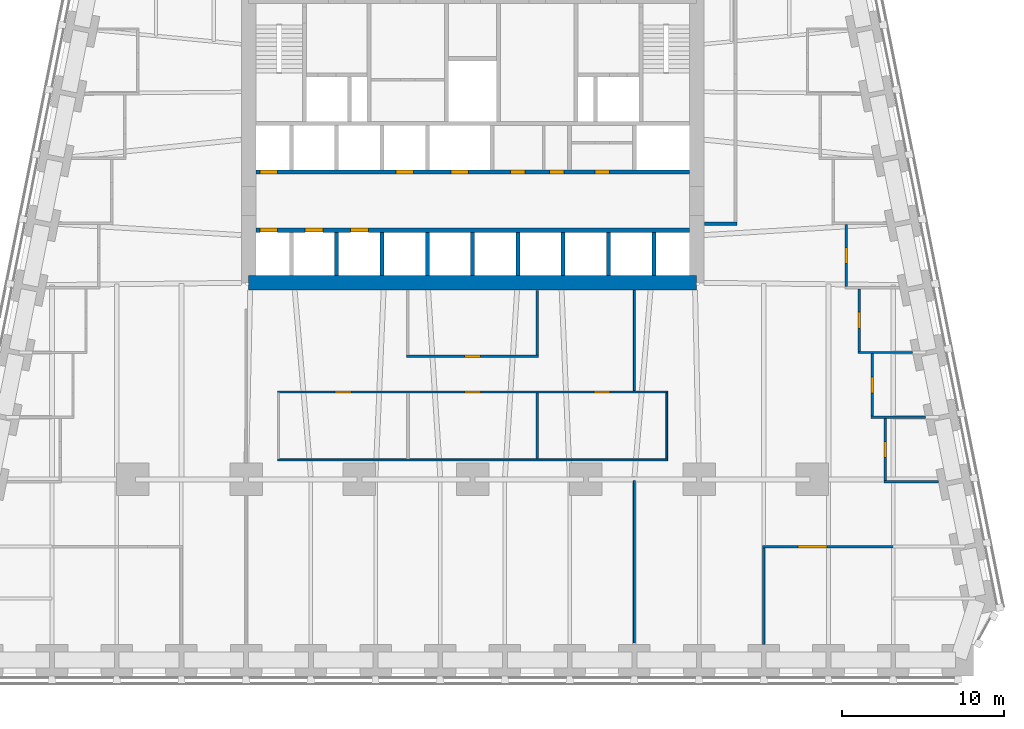
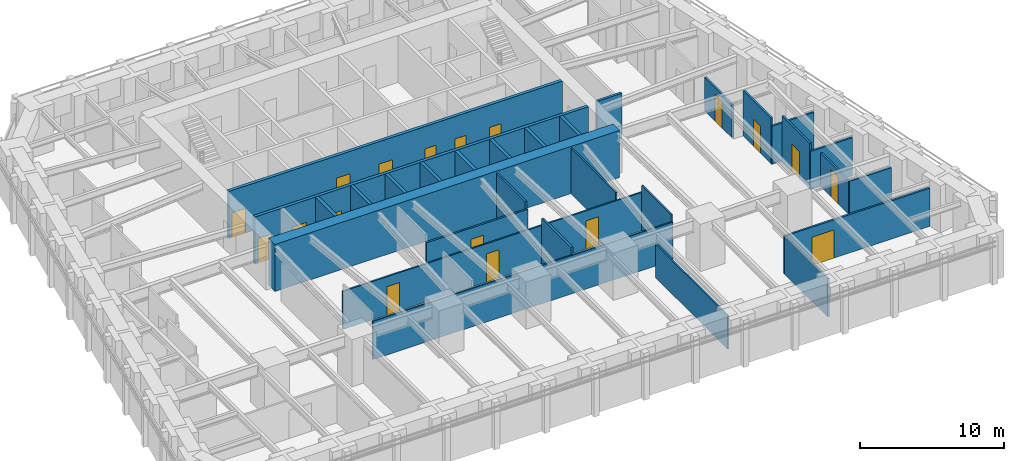
# One storey, part 6 of 10: 29 walls, 18 doors, 18 openings.
"""IFC4 building model written with IfcOpenShell, lengths in metres."""

from ifc_helpers import new_model, si_unit, direction, frame, frame_2d, origin, place, context, subcontext, project, spatial, rectangle, extrude, material, layer, layer_set, type_object, element, fill, save


model = new_model("IFC4")

# Units and contexts
model_context = context("Model", 3, precision=1e-05, world=origin(), true_north=direction((0.0, 1.0)))
body_context = subcontext(model_context, "Body", "Model", "MODEL_VIEW")
ifc_project = project(units=[si_unit("LENGTHUNIT", "METRE"), si_unit("AREAUNIT", "SQUARE_METRE"), si_unit("VOLUMEUNIT", "CUBIC_METRE"), si_unit("PLANEANGLEUNIT", "RADIAN"), si_unit("MASSUNIT", "GRAM", prefix="KILO")], contexts=[model_context])

# Site, building, storey
site_placement = place(None, origin())
site = spatial("IfcSite", under=ifc_project, at=site_placement, CompositionType="ELEMENT")
building_placement = place(site_placement, origin())
building = spatial("IfcBuilding", under=site, at=building_placement, Name="Isbrekke Arena Tower", CompositionType="ELEMENT")
storey_placement = place(building_placement, frame((0.0, 0.0, 84.0)))
storey = spatial("IfcBuildingStorey", under=building, at=storey_placement, Name="L18", CompositionType="ELEMENT", Elevation=84.0)

# Wall
ifc_material_1 = material(Name="Concrete B65 (C65/80)", Category="concrete")
ifc_layer_1 = layer(ifc_material_1, 0.89990234375)
ifc_layer_set_1 = layer_set([ifc_layer_1], Name="CW2 CORE WALL 900")
wall_type_1 = type_object("IfcWallType", Name="CW2 CORE WALL 900", PredefinedType="SHEAR", material=ifc_layer_set_1)
wall_1_placement = place(storey_placement, frame((-13.85009765625, 6.14990234375, 0.0), z_axis=(0.0, 0.0, 1.0), x_axis=(1.0, 0.0, 0.0)))
element("IfcWall", 1, at=wall_1_placement, inside=storey, type_object=wall_type_1, Name="Core wall S L18", PredefinedType="SHEAR", context=body_context, shape_type="SweptSolid", body=[
    extrude(rectangle(XDim=27.7001953125, YDim=0.89990234375, at=frame_2d((13.85009765625, 0.0))), origin(), (0.0, 0.0, 1.0), 4.0),
])

# Wall, openings, doors
ifc_material_2 = material(Name="Concrete B45 (C45/55)", Category="concrete")
ifc_layer_2 = layer(ifc_material_2, 0.25)
ifc_layer_set_2 = layer_set([ifc_layer_2], Name="CW6 SHAFT WALL 250")
wall_type_2 = type_object("IfcWallType", Name="CW6 SHAFT WALL 250", PredefinedType="SHEAR", material=ifc_layer_set_2)
wall_2_placement = place(storey_placement, frame((-13.39990234375, 9.39990234375, 0.0), z_axis=(0.0, 0.0, 1.0), x_axis=(1.0, 0.0, 0.0)))
wall_2 = element("IfcWall", 2, at=wall_2_placement, inside=storey, type_object=wall_type_2, Name="Core wall LS L18", PredefinedType="SHEAR", context=body_context, shape_type="SweptSolid", body=[
    extrude(rectangle(XDim=26.7998046875, YDim=0.25, at=frame_2d((13.39990234375, 0.0))), origin(), (0.0, 0.0, 1.0), 4.0),
])
opening_1_placement = place(wall_2_placement, frame((0.25, 0.0, 0.0)))
opening_1 = element("IfcOpeningElement", 3, at=opening_1_placement, cuts=wall_2, Name="Opening LD1", PredefinedType="OPENING", context=body_context, shape_type="SweptSolid", body=[
    extrude(rectangle(XDim=1.10009765625, YDim=2.10009765625, at=frame_2d((0.550048828125, 1.050048828125))), frame((0.0, 0.139892578125, 0.0), z_axis=(0.0, -1.0, 0.0), x_axis=(1.0, 0.0, 0.0)), (0.0, 0.0, 1.0), 0.27978515625),
])
opening_2_placement = place(wall_2_placement, frame((3.050048828125, 0.0, 0.0)))
opening_2 = element("IfcOpeningElement", 4, at=opening_2_placement, cuts=wall_2, Name="Opening LD1", PredefinedType="OPENING", context=body_context, shape_type="SweptSolid", body=[
    extrude(rectangle(XDim=1.10009765625, YDim=2.10009765625, at=frame_2d((0.550048828125, 1.050048828125))), frame((0.0, 0.139892578125, 0.0), z_axis=(0.0, -1.0, 0.0), x_axis=(1.0, 0.0, 0.0)), (0.0, 0.0, 1.0), 0.27978515625),
])
opening_3_placement = place(wall_2_placement, frame((5.85009765625, 0.0, 0.0)))
opening_3 = element("IfcOpeningElement", 5, at=opening_3_placement, cuts=wall_2, Name="Opening LD1", PredefinedType="OPENING", context=body_context, shape_type="SweptSolid", body=[
    extrude(rectangle(XDim=1.10009765625, YDim=2.10009765625, at=frame_2d((0.550048828125, 1.050048828125))), frame((0.0, 0.139892578125, 0.0), z_axis=(0.0, -1.0, 0.0), x_axis=(1.0, 0.0, 0.0)), (0.0, 0.0, 1.0), 0.27978515625),
])
ifc_material_3 = material(Name="Stainless steel lift landing door", Category="steel")
door_type_1 = type_object("IfcDoorType", Name="LD1 LIFT LANDING DOOR 1100 x 2100", OperationType="SLIDING_TO_LEFT", PredefinedType="DOOR", material=ifc_material_3)
door_1_placement = place(opening_1_placement, origin())
door_1 = element("IfcDoor", 6, at=door_1_placement, inside=storey, type_object=door_type_1, Name="LD1 lift landing door LA L18", OperationType="SLIDING_TO_LEFT", OverallHeight=2.10009765625, OverallWidth=1.10009765625, PredefinedType="DOOR", context=body_context, shape_type="SweptSolid", body=[
    extrude(rectangle(XDim=1.10009765625, YDim=2.10009765625, at=frame_2d((0.550048828125, 1.050048828125))), frame((0.0, 0.124755859375, 0.0), z_axis=(0.0, -1.0, 0.0), x_axis=(1.0, 0.0, 0.0)), (0.0, 0.0, 1.0), 0.24951171875),
])
fill(opening_1, door_1)
door_2_placement = place(opening_2_placement, origin())
door_2 = element("IfcDoor", 7, at=door_2_placement, inside=storey, type_object=door_type_1, Name="LD1 lift landing door LA L18", OperationType="SLIDING_TO_LEFT", OverallHeight=2.10009765625, OverallWidth=1.10009765625, PredefinedType="DOOR", context=body_context, shape_type="SweptSolid", body=[
    extrude(rectangle(XDim=1.10009765625, YDim=2.10009765625, at=frame_2d((0.550048828125, 1.050048828125))), frame((0.0, 0.124755859375, 0.0), z_axis=(0.0, -1.0, 0.0), x_axis=(1.0, 0.0, 0.0)), (0.0, 0.0, 1.0), 0.24951171875),
])
fill(opening_2, door_2)
door_3_placement = place(opening_3_placement, origin())
door_3 = element("IfcDoor", 8, at=door_3_placement, inside=storey, type_object=door_type_1, Name="LD1 lift landing door LA L18", OperationType="SLIDING_TO_LEFT", OverallHeight=2.10009765625, OverallWidth=1.10009765625, PredefinedType="DOOR", context=body_context, shape_type="SweptSolid", body=[
    extrude(rectangle(XDim=1.10009765625, YDim=2.10009765625, at=frame_2d((0.550048828125, 1.050048828125))), frame((0.0, 0.124755859375, 0.0), z_axis=(0.0, -1.0, 0.0), x_axis=(1.0, 0.0, 0.0)), (0.0, 0.0, 1.0), 0.24951171875),
])
fill(opening_3, door_3)

wall_3_placement = place(storey_placement, frame((-13.39990234375, 13.0, 0.0), z_axis=(0.0, 0.0, 1.0), x_axis=(1.0, 0.0, 0.0)))
wall_3 = element("IfcWall", 9, at=wall_3_placement, inside=storey, type_object=wall_type_2, Name="Core wall LN L18", PredefinedType="SHEAR", context=body_context, shape_type="SweptSolid", body=[
    extrude(rectangle(XDim=26.7998046875, YDim=0.25, at=frame_2d((13.39990234375, 0.0))), origin(), (0.0, 0.0, 1.0), 4.0),
])
opening_4_placement = place(wall_3_placement, frame((0.25, 0.0, 0.0)))
opening_4 = element("IfcOpeningElement", 10, at=opening_4_placement, cuts=wall_3, Name="Opening LD1", PredefinedType="OPENING", context=body_context, shape_type="SweptSolid", body=[
    extrude(rectangle(XDim=1.10009765625, YDim=2.10009765625, at=frame_2d((0.550048828125, 1.050048828125))), frame((0.0, 0.139892578125, 0.0), z_axis=(0.0, -1.0, 0.0), x_axis=(1.0, 0.0, 0.0)), (0.0, 0.0, 1.0), 0.27978515625),
])
opening_5_placement = place(wall_3_placement, frame((8.64990234375, 0.0, 0.0)))
opening_5 = element("IfcOpeningElement", 11, at=opening_5_placement, cuts=wall_3, Name="Opening LD1", PredefinedType="OPENING", context=body_context, shape_type="SweptSolid", body=[
    extrude(rectangle(XDim=1.10009765625, YDim=2.10009765625, at=frame_2d((0.550048828125, 1.050048828125))), frame((0.0, 0.139892578125, 0.0), z_axis=(0.0, -1.0, 0.0), x_axis=(1.0, 0.0, 0.0)), (0.0, 0.0, 1.0), 0.27978515625),
])
opening_6_placement = place(wall_3_placement, frame((12.050048828125, 0.0, 0.0)))
opening_6 = element("IfcOpeningElement", 12, at=opening_6_placement, cuts=wall_3, Name="Opening LD1", PredefinedType="OPENING", context=body_context, shape_type="SweptSolid", body=[
    extrude(rectangle(XDim=1.10009765625, YDim=2.10009765625, at=frame_2d((0.550048828125, 1.050048828125))), frame((0.0, 0.139892578125, 0.0), z_axis=(0.0, -1.0, 0.0), x_axis=(1.0, 0.0, 0.0)), (0.0, 0.0, 1.0), 0.27978515625),
])
opening_7_placement = place(wall_3_placement, frame((15.75, 0.0, 0.0)))
opening_7 = element("IfcOpeningElement", 13, at=opening_7_placement, cuts=wall_3, Name="Opening D5", PredefinedType="OPENING", context=body_context, shape_type="SweptSolid", body=[
    extrude(rectangle(XDim=0.89990234375, YDim=2.10009765625, at=frame_2d((0.449951171875, 1.050048828125))), frame((0.0, 0.139892578125, 0.0), z_axis=(0.0, -1.0, 0.0), x_axis=(1.0, 0.0, 0.0)), (0.0, 0.0, 1.0), 0.27978515625),
])
opening_8_placement = place(wall_3_placement, frame((18.14990234375, 0.0, 0.0)))
opening_8 = element("IfcOpeningElement", 14, at=opening_8_placement, cuts=wall_3, Name="Opening D5", PredefinedType="OPENING", context=body_context, shape_type="SweptSolid", body=[
    extrude(rectangle(XDim=0.89990234375, YDim=2.10009765625, at=frame_2d((0.449951171875, 1.050048828125))), frame((0.0, 0.139892578125, 0.0), z_axis=(0.0, -1.0, 0.0), x_axis=(1.0, 0.0, 0.0)), (0.0, 0.0, 1.0), 0.27978515625),
])
opening_9_placement = place(wall_3_placement, frame((20.949951171875, 0.0, 0.0)))
opening_9 = element("IfcOpeningElement", 15, at=opening_9_placement, cuts=wall_3, Name="Opening D5", PredefinedType="OPENING", context=body_context, shape_type="SweptSolid", body=[
    extrude(rectangle(XDim=0.89990234375, YDim=2.10009765625, at=frame_2d((0.449951171875, 1.050048828125))), frame((0.0, 0.139892578125, 0.0), z_axis=(0.0, -1.0, 0.0), x_axis=(1.0, 0.0, 0.0)), (0.0, 0.0, 1.0), 0.27978515625),
])
ifc_material_4 = material(Name="Steel fire door", Category="steel")
door_type_2 = type_object("IfcDoorType", Name="D5 SERVICE DOOR 900 x 2100", OperationType="SINGLE_SWING_LEFT", PredefinedType="DOOR", material=ifc_material_4)
door_4_placement = place(opening_7_placement, origin())
door_4 = element("IfcDoor", 16, at=door_4_placement, inside=storey, type_object=door_type_2, Name="D5 first-aid room door L18", OperationType="SINGLE_SWING_LEFT", OverallHeight=2.10009765625, OverallWidth=0.89990234375, PredefinedType="DOOR", context=body_context, shape_type="SweptSolid", body=[
    extrude(rectangle(XDim=0.89990234375, YDim=2.10009765625, at=frame_2d((0.449951171875, 1.050048828125))), frame((0.0, 0.124755859375, 0.0), z_axis=(0.0, -1.0, 0.0), x_axis=(1.0, 0.0, 0.0)), (0.0, 0.0, 1.0), 0.24951171875),
])
fill(opening_7, door_4)
door_5_placement = place(opening_8_placement, origin())
door_5 = element("IfcDoor", 17, at=door_5_placement, inside=storey, type_object=door_type_2, Name="D5 cleaner's store door L18", OperationType="SINGLE_SWING_LEFT", OverallHeight=2.10009765625, OverallWidth=0.89990234375, PredefinedType="DOOR", context=body_context, shape_type="SweptSolid", body=[
    extrude(rectangle(XDim=0.89990234375, YDim=2.10009765625, at=frame_2d((0.449951171875, 1.050048828125))), frame((0.0, 0.124755859375, 0.0), z_axis=(0.0, -1.0, 0.0), x_axis=(1.0, 0.0, 0.0)), (0.0, 0.0, 1.0), 0.24951171875),
])
fill(opening_8, door_5)
door_6_placement = place(opening_9_placement, origin())
door_6 = element("IfcDoor", 18, at=door_6_placement, inside=storey, type_object=door_type_2, Name="D5 communications room door L18", OperationType="SINGLE_SWING_LEFT", OverallHeight=2.10009765625, OverallWidth=0.89990234375, PredefinedType="DOOR", context=body_context, shape_type="SweptSolid", body=[
    extrude(rectangle(XDim=0.89990234375, YDim=2.10009765625, at=frame_2d((0.449951171875, 1.050048828125))), frame((0.0, 0.124755859375, 0.0), z_axis=(0.0, -1.0, 0.0), x_axis=(1.0, 0.0, 0.0)), (0.0, 0.0, 1.0), 0.24951171875),
])
fill(opening_9, door_6)
door_7_placement = place(opening_4_placement, origin())
door_7 = element("IfcDoor", 19, at=door_7_placement, inside=storey, type_object=door_type_1, Name="LD1 lift landing door LA L18", OperationType="SLIDING_TO_LEFT", OverallHeight=2.10009765625, OverallWidth=1.10009765625, PredefinedType="DOOR", context=body_context, shape_type="SweptSolid", body=[
    extrude(rectangle(XDim=1.10009765625, YDim=2.10009765625, at=frame_2d((0.550048828125, 1.050048828125))), frame((0.0, 0.124755859375, 0.0), z_axis=(0.0, -1.0, 0.0), x_axis=(1.0, 0.0, 0.0)), (0.0, 0.0, 1.0), 0.24951171875),
])
fill(opening_4, door_7)
door_8_placement = place(opening_5_placement, origin())
door_8 = element("IfcDoor", 20, at=door_8_placement, inside=storey, type_object=door_type_1, Name="LD1 lift landing door LA L18", OperationType="SLIDING_TO_LEFT", OverallHeight=2.10009765625, OverallWidth=1.10009765625, PredefinedType="DOOR", context=body_context, shape_type="SweptSolid", body=[
    extrude(rectangle(XDim=1.10009765625, YDim=2.10009765625, at=frame_2d((0.550048828125, 1.050048828125))), frame((0.0, 0.124755859375, 0.0), z_axis=(0.0, -1.0, 0.0), x_axis=(1.0, 0.0, 0.0)), (0.0, 0.0, 1.0), 0.24951171875),
])
fill(opening_5, door_8)
door_9_placement = place(opening_6_placement, origin())
door_9 = element("IfcDoor", 21, at=door_9_placement, inside=storey, type_object=door_type_1, Name="LD1 lift landing door LA L18", OperationType="SLIDING_TO_LEFT", OverallHeight=2.10009765625, OverallWidth=1.10009765625, PredefinedType="DOOR", context=body_context, shape_type="SweptSolid", body=[
    extrude(rectangle(XDim=1.10009765625, YDim=2.10009765625, at=frame_2d((0.550048828125, 1.050048828125))), frame((0.0, 0.124755859375, 0.0), z_axis=(0.0, -1.0, 0.0), x_axis=(1.0, 0.0, 0.0)), (0.0, 0.0, 1.0), 0.24951171875),
])
fill(opening_6, door_9)

# Walls
for number, where, z_axis, x_axis, name in (
    (22, (-8.39990234375, 6.60009765625, 0.0), (0.0, 0.0, 1.0), (0.0, 1.0, 0.0), "Core wall SS02 L18"),
    (23, (-5.60009765625, 6.60009765625, 0.0), (0.0, 0.0, 1.0), (0.0, 1.0, 0.0), "Core wall SS03 L18"),
    (24, (-2.800048828125, 6.60009765625, 0.0), (0.0, 0.0, 1.0), (0.0, 1.0, 0.0), "Core wall SS04 L18"),
    (25, (0.0, 6.60009765625, 0.0), (0.0, 0.0, 1.0), (0.0, 1.0, 0.0), "Core wall SS05 L18"),
    (26, (2.800048828125, 6.60009765625, 0.0), (0.0, 0.0, 1.0), (0.0, 1.0, 0.0), "Core wall SS06 L18"),
    (27, (5.60009765625, 6.60009765625, 0.0), (0.0, 0.0, 1.0), (0.0, 1.0, 0.0), "Core wall SS07 L18"),
    (28, (8.39990234375, 6.60009765625, 0.0), (0.0, 0.0, 1.0), (0.0, 1.0, 0.0), "Core wall SS08 L18"),
    (29, (11.199951171875, 6.60009765625, 0.0), (0.0, 0.0, 1.0), (0.0, 1.0, 0.0), "Core wall SS09 L18"),
):
    element("IfcWall", number, at=place(storey_placement, frame(where, z_axis=z_axis, x_axis=x_axis)), inside=storey, type_object=wall_type_2, Name=name, PredefinedType="SHEAR", context=body_context, shape_type="SweptSolid", body=[
        extrude(rectangle(XDim=2.6748046875, YDim=0.25, at=frame_2d((1.33740234375, 0.0))), origin(), (0.0, 0.0, 1.0), 4.0),
    ])

# Wall, opening, door
ifc_material_5 = material(Name="Gypsum board partition on steel studs", Category="steel")
ifc_layer_3 = layer(ifc_material_5, 0.14990234375)
ifc_layer_set_3 = layer_set([ifc_layer_3], Name="IW1 PARTITION 150")
wall_type_3 = type_object("IfcWallType", Name="IW1 PARTITION 150", PredefinedType="PARTITIONING", material=ifc_layer_set_3)
wall_4_placement = place(storey_placement, frame((17.925048828125, -10.159912109375, 0.0), z_axis=(0.0, 0.0, 1.0), x_axis=(1.0, 0.0, 0.0)))
wall_4 = element("IfcWall", 30, at=wall_4_placement, inside=storey, type_object=wall_type_3, Name="IW1 partition 150 L18", PredefinedType="PARTITIONING", context=body_context, shape_type="SweptSolid", body=[
    extrude(rectangle(XDim=11.67138671875, YDim=0.14990234375, at=frame_2d((5.835693359375, 0.0))), origin(), (0.0, 0.0, 1.0), 3.25),
])
opening_10_placement = place(wall_4_placement, frame((2.175048828125, 0.0, 0.0)))
opening_10 = element("IfcOpeningElement", 31, at=opening_10_placement, cuts=wall_4, Name="Opening D13", PredefinedType="OPENING", context=body_context, shape_type="SweptSolid", body=[
    extrude(rectangle(XDim=1.800048828125, YDim=2.39990234375, at=frame_2d((0.89990234375, 1.199951171875))), frame((0.0, 0.08984375, 0.0), z_axis=(0.0, -1.0, 0.0), x_axis=(1.0, 0.0, 0.0)), (0.0, 0.0, 1.0), 0.1796875),
])
ifc_material_6 = material(Name="Timber door pair", Category="wood")
door_type_3 = type_object("IfcDoorType", Name="D13 DOUBLE ROOM DOOR 1800 x 2400", OperationType="DOUBLE_DOOR_SINGLE_SWING", PredefinedType="DOOR", material=ifc_material_6)
door_10_placement = place(opening_10_placement, origin())
door_10 = element("IfcDoor", 32, at=door_10_placement, inside=storey, type_object=door_type_3, Name="D13 office door L18", OperationType="DOUBLE_DOOR_SINGLE_SWING", OverallHeight=2.39990234375, OverallWidth=1.800048828125, PredefinedType="DOOR", context=body_context, shape_type="SweptSolid", body=[
    extrude(rectangle(XDim=1.800048828125, YDim=2.39990234375, at=frame_2d((0.89990234375, 1.199951171875))), frame((0.0, 0.07470703125, 0.0), z_axis=(0.0, -1.0, 0.0), x_axis=(1.0, 0.0, 0.0)), (0.0, 0.0, 1.0), 0.1494140625),
])
fill(opening_10, door_10)

# Walls
wall_5_placement = place(storey_placement, frame((25.425048828125, -6.159912109375, 0.0), z_axis=(0.0, 0.0, 1.0), x_axis=(1.0, 0.0, 0.0)))
element("IfcWall", 33, at=wall_5_placement, inside=storey, type_object=wall_type_3, Name="IW1 partition 150 L18", PredefinedType="PARTITIONING", context=body_context, shape_type="SweptSolid", body=[
    extrude(rectangle(XDim=3.371337890625, YDim=0.14990234375, at=frame_2d((1.685546875, 0.0))), origin(), (0.0, 0.0, 1.0), 2.842041015625),
])
wall_6_placement = place(storey_placement, frame((24.625, -2.159912109375, 0.0), z_axis=(0.0, 0.0, 1.0), x_axis=(1.0, 0.0, 0.0)))
element("IfcWall", 34, at=wall_6_placement, inside=storey, type_object=wall_type_3, Name="IW1 partition 150 L18", PredefinedType="PARTITIONING", context=body_context, shape_type="SweptSolid", body=[
    extrude(rectangle(XDim=3.371337890625, YDim=0.14990234375, at=frame_2d((1.685546875, 0.0))), origin(), (0.0, 0.0, 1.0), 3.25),
])

# Wall, opening, door
wall_7_placement = place(storey_placement, frame((-4.074951171875, 1.60009765625, 0.0), z_axis=(0.0, 0.0, 1.0), x_axis=(1.0, 0.0, 0.0)))
wall_7 = element("IfcWall", 35, at=wall_7_placement, inside=storey, type_object=wall_type_3, Name="IW1 partition 150 L18", PredefinedType="PARTITIONING", context=body_context, shape_type="SweptSolid", body=[
    extrude(rectangle(XDim=8.14990234375, YDim=0.14990234375, at=frame_2d((4.074951171875, 0.0))), origin(), (0.0, 0.0, 1.0), 3.25),
])
opening_11_placement = place(wall_7_placement, frame((3.574951171875, 0.0, 0.0)))
opening_11 = element("IfcOpeningElement", 36, at=opening_11_placement, cuts=wall_7, Name="Opening D10", PredefinedType="OPENING", context=body_context, shape_type="SweptSolid", body=[
    extrude(rectangle(XDim=1.0, YDim=2.300048828125, at=frame_2d((0.5, 1.14990234375))), frame((0.0, 0.08984375, 0.0), z_axis=(0.0, -1.0, 0.0), x_axis=(1.0, 0.0, 0.0)), (0.0, 0.0, 1.0), 0.1796875),
])
ifc_material_7 = material(Name="Timber door", Category="wood")
door_type_4 = type_object("IfcDoorType", Name="D10 OFFICE DOOR 1000 x 2300", OperationType="SINGLE_SWING_LEFT", PredefinedType="DOOR", material=ifc_material_7)
door_11_placement = place(opening_11_placement, origin())
door_11 = element("IfcDoor", 37, at=door_11_placement, inside=storey, type_object=door_type_4, Name="D10 pantry door L18", OperationType="SINGLE_SWING_LEFT", OverallHeight=2.300048828125, OverallWidth=1.0, PredefinedType="DOOR", context=body_context, shape_type="SweptSolid", body=[
    extrude(rectangle(XDim=1.0, YDim=2.300048828125, at=frame_2d((0.5, 1.14990234375))), frame((0.0, 0.07470703125, 0.0), z_axis=(0.0, -1.0, 0.0), x_axis=(1.0, 0.0, 0.0)), (0.0, 0.0, 1.0), 0.1494140625),
])
fill(opening_11, door_11)

# Walls
wall_8_placement = place(storey_placement, frame((23.824951171875, 1.840087890625, 0.0), z_axis=(0.0, 0.0, 1.0), x_axis=(1.0, 0.0, 0.0)))
element("IfcWall", 38, at=wall_8_placement, inside=storey, type_object=wall_type_3, Name="IW1 partition 150 L18", PredefinedType="PARTITIONING", context=body_context, shape_type="SweptSolid", body=[
    extrude(rectangle(XDim=3.371337890625, YDim=0.14990234375, at=frame_2d((1.685546875, 0.0))), origin(), (0.0, 0.0, 1.0), 3.25),
])
wall_9_placement = place(storey_placement, frame((4.0, 1.675048828125, 0.0), z_axis=(0.0, 0.0, 1.0), x_axis=(0.0, 1.0, 0.0)))
element("IfcWall", 39, at=wall_9_placement, inside=storey, type_object=wall_type_3, Name="IW1 partition 150 L18", PredefinedType="PARTITIONING", context=body_context, shape_type="SweptSolid", body=[
    extrude(rectangle(XDim=3.994873046875, YDim=0.14990234375, at=frame_2d((1.99755859375, 0.0))), origin(), (0.0, 0.0, 1.0), 3.85009765625),
])
wall_10_placement = place(storey_placement, frame((18.0, -16.199951171875, 0.0), z_axis=(0.0, 0.0, 1.0), x_axis=(0.0, 1.0, 0.0)))
element("IfcWall", 40, at=wall_10_placement, inside=storey, type_object=wall_type_3, Name="IW1 partition 150 L18", PredefinedType="PARTITIONING", context=body_context, shape_type="SweptSolid", body=[
    extrude(rectangle(XDim=5.96484375, YDim=0.14990234375, at=frame_2d((2.982421875, 0.0))), origin(), (0.0, 0.0, 1.0), 3.25),
])

# Wall, opening, door
wall_11_placement = place(storey_placement, frame((23.10009765625, 5.9150390625, 0.0), z_axis=(0.0, 0.0, 1.0), x_axis=(0.0, 1.0, 0.0)))
wall_11 = element("IfcWall", 41, at=wall_11_placement, inside=storey, type_object=wall_type_3, Name="IW1 partition 150 L18", PredefinedType="PARTITIONING", context=body_context, shape_type="SweptSolid", body=[
    extrude(rectangle(XDim=3.849853515625, YDim=0.14990234375, at=frame_2d((1.9248046875, 0.0))), origin(), (0.0, 0.0, 1.0), 2.842041015625),
])
opening_12_placement = place(wall_11_placement, frame((1.425048828125, 0.0, 0.0)))
opening_12 = element("IfcOpeningElement", 42, at=opening_12_placement, cuts=wall_11, Name="Opening D10", PredefinedType="OPENING", context=body_context, shape_type="SweptSolid", body=[
    extrude(rectangle(XDim=1.0, YDim=2.300048828125, at=frame_2d((0.5, 1.14990234375))), frame((0.0, 0.08984375, 0.0), z_axis=(0.0, -1.0, 0.0), x_axis=(1.0, 0.0, 0.0)), (0.0, 0.0, 1.0), 0.1796875),
])
door_12_placement = place(opening_12_placement, origin())
door_12 = element("IfcDoor", 43, at=door_12_placement, inside=storey, type_object=door_type_4, Name="D10 office door L18", OperationType="SINGLE_SWING_LEFT", OverallHeight=2.300048828125, OverallWidth=1.0, PredefinedType="DOOR", context=body_context, shape_type="SweptSolid", body=[
    extrude(rectangle(XDim=1.0, YDim=2.300048828125, at=frame_2d((0.5, 1.14990234375))), frame((0.0, 0.07470703125, 0.0), z_axis=(0.0, -1.0, 0.0), x_axis=(1.0, 0.0, 0.0)), (0.0, 0.0, 1.0), 0.1494140625),
])
fill(opening_12, door_12)

wall_12_placement = place(storey_placement, frame((23.89990234375, 1.9150390625, 0.0), z_axis=(0.0, 0.0, 1.0), x_axis=(0.0, 1.0, 0.0)))
wall_12 = element("IfcWall", 44, at=wall_12_placement, inside=storey, type_object=wall_type_3, Name="IW1 partition 150 L18", PredefinedType="PARTITIONING", context=body_context, shape_type="SweptSolid", body=[
    extrude(rectangle(XDim=3.849853515625, YDim=0.14990234375, at=frame_2d((1.9248046875, 0.0))), origin(), (0.0, 0.0, 1.0), 3.85009765625),
])
opening_13_placement = place(wall_12_placement, frame((1.425048828125, 0.0, 0.0)))
opening_13 = element("IfcOpeningElement", 45, at=opening_13_placement, cuts=wall_12, Name="Opening D10", PredefinedType="OPENING", context=body_context, shape_type="SweptSolid", body=[
    extrude(rectangle(XDim=1.0, YDim=2.300048828125, at=frame_2d((0.5, 1.14990234375))), frame((0.0, 0.08984375, 0.0), z_axis=(0.0, -1.0, 0.0), x_axis=(1.0, 0.0, 0.0)), (0.0, 0.0, 1.0), 0.1796875),
])
door_13_placement = place(opening_13_placement, origin())
door_13 = element("IfcDoor", 46, at=door_13_placement, inside=storey, type_object=door_type_4, Name="D10 office door L18", OperationType="SINGLE_SWING_LEFT", OverallHeight=2.300048828125, OverallWidth=1.0, PredefinedType="DOOR", context=body_context, shape_type="SweptSolid", body=[
    extrude(rectangle(XDim=1.0, YDim=2.300048828125, at=frame_2d((0.5, 1.14990234375))), frame((0.0, 0.07470703125, 0.0), z_axis=(0.0, -1.0, 0.0), x_axis=(1.0, 0.0, 0.0)), (0.0, 0.0, 1.0), 0.1494140625),
])
fill(opening_13, door_13)

wall_13_placement = place(storey_placement, frame((24.699951171875, -2.0849609375, 0.0), z_axis=(0.0, 0.0, 1.0), x_axis=(0.0, 1.0, 0.0)))
wall_13 = element("IfcWall", 47, at=wall_13_placement, inside=storey, type_object=wall_type_3, Name="IW1 partition 150 L18", PredefinedType="PARTITIONING", context=body_context, shape_type="SweptSolid", body=[
    extrude(rectangle(XDim=3.849853515625, YDim=0.14990234375, at=frame_2d((1.9248046875, 0.0))), origin(), (0.0, 0.0, 1.0), 3.85009765625),
])
opening_14_placement = place(wall_13_placement, frame((1.425048828125, 0.0, 0.0)))
opening_14 = element("IfcOpeningElement", 48, at=opening_14_placement, cuts=wall_13, Name="Opening D10", PredefinedType="OPENING", context=body_context, shape_type="SweptSolid", body=[
    extrude(rectangle(XDim=1.0, YDim=2.300048828125, at=frame_2d((0.5, 1.14990234375))), frame((0.0, 0.08984375, 0.0), z_axis=(0.0, -1.0, 0.0), x_axis=(1.0, 0.0, 0.0)), (0.0, 0.0, 1.0), 0.1796875),
])
door_14_placement = place(opening_14_placement, origin())
door_14 = element("IfcDoor", 49, at=door_14_placement, inside=storey, type_object=door_type_4, Name="D10 office door L18", OperationType="SINGLE_SWING_LEFT", OverallHeight=2.300048828125, OverallWidth=1.0, PredefinedType="DOOR", context=body_context, shape_type="SweptSolid", body=[
    extrude(rectangle(XDim=1.0, YDim=2.300048828125, at=frame_2d((0.5, 1.14990234375))), frame((0.0, 0.07470703125, 0.0), z_axis=(0.0, -1.0, 0.0), x_axis=(1.0, 0.0, 0.0)), (0.0, 0.0, 1.0), 0.1494140625),
])
fill(opening_14, door_14)

wall_14_placement = place(storey_placement, frame((25.5, -6.0849609375, 0.0), z_axis=(0.0, 0.0, 1.0), x_axis=(0.0, 1.0, 0.0)))
wall_14 = element("IfcWall", 50, at=wall_14_placement, inside=storey, type_object=wall_type_3, Name="IW1 partition 150 L18", PredefinedType="PARTITIONING", context=body_context, shape_type="SweptSolid", body=[
    extrude(rectangle(XDim=3.849853515625, YDim=0.14990234375, at=frame_2d((1.9248046875, 0.0))), origin(), (0.0, 0.0, 1.0), 2.842041015625),
])
opening_15_placement = place(wall_14_placement, frame((1.425048828125, 0.0, 0.0)))
opening_15 = element("IfcOpeningElement", 51, at=opening_15_placement, cuts=wall_14, Name="Opening D10", PredefinedType="OPENING", context=body_context, shape_type="SweptSolid", body=[
    extrude(rectangle(XDim=1.0, YDim=2.300048828125, at=frame_2d((0.5, 1.14990234375))), frame((0.0, 0.08984375, 0.0), z_axis=(0.0, -1.0, 0.0), x_axis=(1.0, 0.0, 0.0)), (0.0, 0.0, 1.0), 0.1796875),
])
door_15_placement = place(opening_15_placement, origin())
door_15 = element("IfcDoor", 52, at=door_15_placement, inside=storey, type_object=door_type_4, Name="D10 office door L18", OperationType="SINGLE_SWING_LEFT", OverallHeight=2.300048828125, OverallWidth=1.0, PredefinedType="DOOR", context=body_context, shape_type="SweptSolid", body=[
    extrude(rectangle(XDim=1.0, YDim=2.300048828125, at=frame_2d((0.5, 1.14990234375))), frame((0.0, 0.07470703125, 0.0), z_axis=(0.0, -1.0, 0.0), x_axis=(1.0, 0.0, 0.0)), (0.0, 0.0, 1.0), 0.1494140625),
])
fill(opening_15, door_15)

# Wall
ifc_material_8 = material(Name="Frameless glazed partition, laminated acoustic glass", Category="glass")
ifc_layer_4 = layer(ifc_material_8, 0.1201171875)
ifc_layer_set_4 = layer_set([ifc_layer_4], Name="IW2 GLAZED PARTITION 120")
wall_type_4 = type_object("IfcWallType", Name="IW2 GLAZED PARTITION 120", PredefinedType="PARTITIONING", material=ifc_layer_set_4)
wall_15_placement = place(storey_placement, frame((-12.06005859375, -4.800048828125, 0.0), z_axis=(0.0, 0.0, 1.0), x_axis=(1.0, 0.0, 0.0)))
element("IfcWall", 53, at=wall_15_placement, inside=storey, type_object=wall_type_4, Name="IW2 glazed partition 120 L18", PredefinedType="PARTITIONING", context=body_context, shape_type="SweptSolid", body=[
    extrude(rectangle(XDim=24.1201171875, YDim=0.1201171875, at=frame_2d((12.06005859375, 0.0))), origin(), (0.0, 0.0, 1.0), 3.25),
])

# Wall, openings, doors
wall_16_placement = place(storey_placement, frame((-12.06005859375, -0.60009765625, 0.0), z_axis=(0.0, 0.0, 1.0), x_axis=(1.0, 0.0, 0.0)))
wall_16 = element("IfcWall", 54, at=wall_16_placement, inside=storey, type_object=wall_type_4, Name="IW2 glazed partition 120 L18", PredefinedType="PARTITIONING", context=body_context, shape_type="SweptSolid", body=[
    extrude(rectangle(XDim=24.1201171875, YDim=0.1201171875, at=frame_2d((12.06005859375, 0.0))), origin(), (0.0, 0.0, 1.0), 3.25),
])
opening_16_placement = place(wall_16_placement, frame((3.56005859375, 0.0, 0.0)))
opening_16 = element("IfcOpeningElement", 55, at=opening_16_placement, cuts=wall_16, Name="Opening D11", PredefinedType="OPENING", context=body_context, shape_type="SweptSolid", body=[
    extrude(rectangle(XDim=1.0, YDim=2.39990234375, at=frame_2d((0.5, 1.199951171875))), frame((0.0, 0.074951171875, 0.0), z_axis=(0.0, -1.0, 0.0), x_axis=(1.0, 0.0, 0.0)), (0.0, 0.0, 1.0), 0.14990234375),
])
opening_17_placement = place(wall_16_placement, frame((11.56005859375, 0.0, 0.0)))
opening_17 = element("IfcOpeningElement", 56, at=opening_17_placement, cuts=wall_16, Name="Opening D11", PredefinedType="OPENING", context=body_context, shape_type="SweptSolid", body=[
    extrude(rectangle(XDim=1.0, YDim=2.39990234375, at=frame_2d((0.5, 1.199951171875))), frame((0.0, 0.074951171875, 0.0), z_axis=(0.0, -1.0, 0.0), x_axis=(1.0, 0.0, 0.0)), (0.0, 0.0, 1.0), 0.14990234375),
])
opening_18_placement = place(wall_16_placement, frame((19.56005859375, 0.0, 0.0)))
opening_18 = element("IfcOpeningElement", 57, at=opening_18_placement, cuts=wall_16, Name="Opening D11", PredefinedType="OPENING", context=body_context, shape_type="SweptSolid", body=[
    extrude(rectangle(XDim=1.0, YDim=2.39990234375, at=frame_2d((0.5, 1.199951171875))), frame((0.0, 0.074951171875, 0.0), z_axis=(0.0, -1.0, 0.0), x_axis=(1.0, 0.0, 0.0)), (0.0, 0.0, 1.0), 0.14990234375),
])
ifc_material_9 = material(Name="Frameless glazed door", Category="glass")
door_type_5 = type_object("IfcDoorType", Name="D11 GLAZED MEETING ROOM DOOR 1000 x 2400", OperationType="SINGLE_SWING_RIGHT", PredefinedType="DOOR", material=ifc_material_9)
door_16_placement = place(opening_16_placement, origin())
door_16 = element("IfcDoor", 58, at=door_16_placement, inside=storey, type_object=door_type_5, Name="D11 meeting room door L18", OperationType="SINGLE_SWING_RIGHT", OverallHeight=2.39990234375, OverallWidth=1.0, PredefinedType="DOOR", context=body_context, shape_type="SweptSolid", body=[
    extrude(rectangle(XDim=1.0, YDim=2.39990234375, at=frame_2d((0.5, 1.199951171875))), frame((0.0, 0.059814453125, 0.0), z_axis=(0.0, -1.0, 0.0), x_axis=(1.0, 0.0, 0.0)), (0.0, 0.0, 1.0), 0.11962890625),
])
fill(opening_16, door_16)
door_17_placement = place(opening_17_placement, origin())
door_17 = element("IfcDoor", 59, at=door_17_placement, inside=storey, type_object=door_type_5, Name="D11 meeting room door L18", OperationType="SINGLE_SWING_RIGHT", OverallHeight=2.39990234375, OverallWidth=1.0, PredefinedType="DOOR", context=body_context, shape_type="SweptSolid", body=[
    extrude(rectangle(XDim=1.0, YDim=2.39990234375, at=frame_2d((0.5, 1.199951171875))), frame((0.0, 0.059814453125, 0.0), z_axis=(0.0, -1.0, 0.0), x_axis=(1.0, 0.0, 0.0)), (0.0, 0.0, 1.0), 0.11962890625),
])
fill(opening_17, door_17)
door_18_placement = place(opening_18_placement, origin())
door_18 = element("IfcDoor", 60, at=door_18_placement, inside=storey, type_object=door_type_5, Name="D11 meeting room door L18", OperationType="SINGLE_SWING_RIGHT", OverallHeight=2.39990234375, OverallWidth=1.0, PredefinedType="DOOR", context=body_context, shape_type="SweptSolid", body=[
    extrude(rectangle(XDim=1.0, YDim=2.39990234375, at=frame_2d((0.5, 1.199951171875))), frame((0.0, 0.059814453125, 0.0), z_axis=(0.0, -1.0, 0.0), x_axis=(1.0, 0.0, 0.0)), (0.0, 0.0, 1.0), 0.11962890625),
])
fill(opening_18, door_18)

# Walls
wall_17_placement = place(storey_placement, frame((12.0, -4.739990234375, 0.0), z_axis=(0.0, 0.0, 1.0), x_axis=(0.0, 1.0, 0.0)))
element("IfcWall", 61, at=wall_17_placement, inside=storey, type_object=wall_type_4, Name="IW2 glazed partition 120 L18", PredefinedType="PARTITIONING", context=body_context, shape_type="SweptSolid", body=[
    extrude(rectangle(XDim=4.080078125, YDim=0.1201171875, at=frame_2d((2.0400390625, 0.0))), origin(), (0.0, 0.0, 1.0), 3.85009765625),
])
wall_18_placement = place(storey_placement, frame((10.0009765625, -16.10009765625, 0.0), z_axis=(0.0, 0.0, 1.0), x_axis=(0.0, 1.0, 0.0)))
element("IfcWall", 62, at=wall_18_placement, inside=storey, type_object=wall_type_4, Name="IW2 glazed partition 120 L18", PredefinedType="PARTITIONING", context=body_context, shape_type="SweptSolid", body=[
    extrude(rectangle(XDim=10.02001953125, YDim=0.1201171875, at=frame_2d((5.010009765625, 0.0))), origin(), (0.0, 0.0, 1.0), 2.842041015625),
])
wall_19_placement = place(storey_placement, frame((10.0009765625, -0.52001953125, 0.0), z_axis=(0.0, 0.0, 1.0), x_axis=(0.0, 1.0, 0.0)))
element("IfcWall", 63, at=wall_19_placement, inside=storey, type_object=wall_type_4, Name="IW2 glazed partition 120 L18", PredefinedType="PARTITIONING", context=body_context, shape_type="SweptSolid", body=[
    extrude(rectangle(XDim=6.219970703125, YDim=0.1201171875, at=frame_2d((3.10986328125, 0.0))), origin(), (0.0, 0.0, 1.0), 3.85009765625),
])
ifc_material_10 = material(Name="Gypsum board fire-cell wall on steel studs, two layers each side", Category="steel")
ifc_layer_5 = layer(ifc_material_10, 0.199951171875)
ifc_layer_set_5 = layer_set([ifc_layer_5], Name="IW3 FIRE-CELL WALL 200")
wall_type_5 = type_object("IfcWallType", Name="IW3 FIRE-CELL WALL 200", PredefinedType="PARTITIONING", material=ifc_layer_set_5)
wall_20_placement = place(storey_placement, frame((14.330078125, 9.800048828125, 0.0), z_axis=(0.0, 0.0, 1.0), x_axis=(1.0, 0.0, 0.0)))
element("IfcWall", 64, at=wall_20_placement, inside=storey, type_object=wall_type_5, Name="IW3 fire-cell wall 200 L18", PredefinedType="PARTITIONING", context=body_context, shape_type="SweptSolid", body=[
    extrude(rectangle(XDim=2.02001953125, YDim=0.199951171875, at=frame_2d((1.010009765625, 0.0))), origin(), (0.0, 0.0, 1.0), 3.85009765625),
])
ifc_material_11 = material(Name="Gypsum board acoustic partition on twin steel studs", Category="steel")
ifc_layer_6 = layer(ifc_material_11, 0.175048828125)
ifc_layer_set_6 = layer_set([ifc_layer_6], Name="IW4 ACOUSTIC PARTITION 175")
wall_type_6 = type_object("IfcWallType", Name="IW4 ACOUSTIC PARTITION 175", PredefinedType="PARTITIONING", material=ifc_layer_set_6)
wall_21_placement = place(storey_placement, frame((4.0, -4.739990234375, 0.0), z_axis=(0.0, 0.0, 1.0), x_axis=(0.0, 1.0, 0.0)))
element("IfcWall", 65, at=wall_21_placement, inside=storey, type_object=wall_type_6, Name="IW4 acoustic partition 175 L18", PredefinedType="PARTITIONING", context=body_context, shape_type="SweptSolid", body=[
    extrude(rectangle(XDim=4.080078125, YDim=0.175048828125, at=frame_2d((2.0400390625, 0.0))), origin(), (0.0, 0.0, 1.0), 3.85009765625),
])

save(model, "model.ifc")
